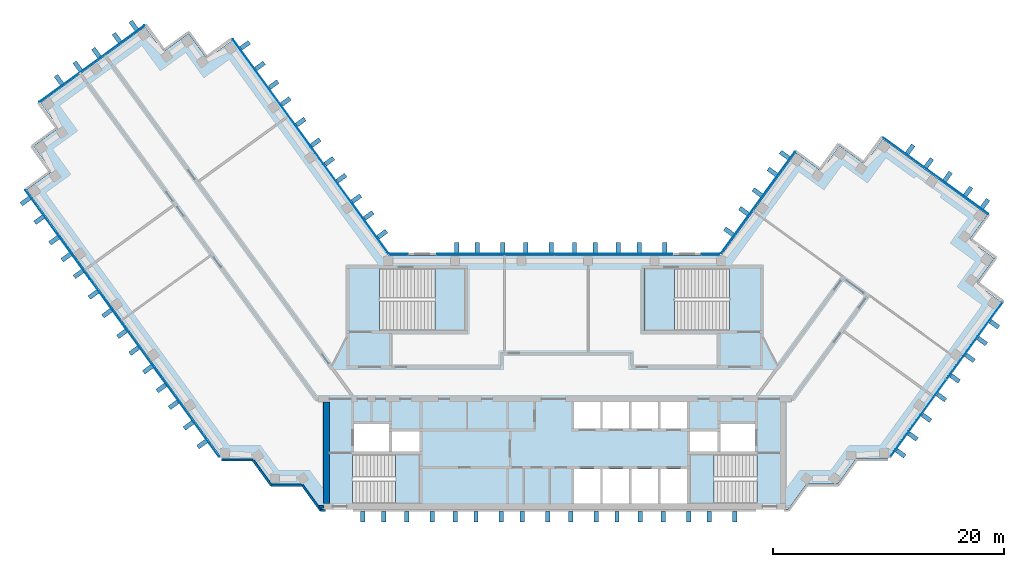
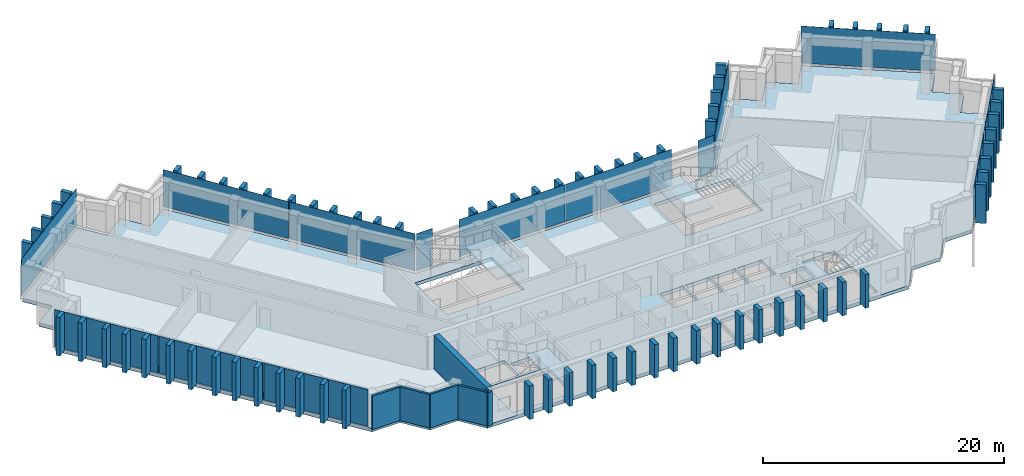
"""IFC4 building model written with IfcOpenShell, lengths in metres."""

import ifcopenshell
import ifcopenshell.guid

model = None  # the IFC model being written
_history = None  # IfcOwnerHistory: only IFC2X3 demands one
_inside = {}  # id of a spatial element -> (the spatial element, [elements in it])
_under = {}  # id of a project, library or spatial element -> (it, [spatial elements below it])
_declared = {}  # id of a project -> (the project, [libraries it declares])
_typed = {}  # id of a type object -> (the type object, [elements of that type])
_made_of = {}  # id of a material, layer set ... -> (it, [elements and type objects made of it])


def new_model(schema):
    """Start an empty IFC model of exactly this schema.

    Asked for "IFC4X3", IfcOpenShell would pick the latest addendum, in which some entities
    have other attributes; the version numbers below select the first issue.
    IFC2X3 requires an IfcOwnerHistory on every rooted entity: one is made here for all.
    """
    global model, _history
    if schema == "IFC4X3":
        model = ifcopenshell.file(schema_version=(4, 3, 0, 0))
    else:
        model = ifcopenshell.file(schema=schema)
    _inside.clear()
    _under.clear()
    _declared.clear()
    _typed.clear()
    _made_of.clear()
    _history = None
    if model.schema == "IFC2X3":
        org = make("IfcOrganization", Name="unknown")
        user = make(
            "IfcPersonAndOrganization",
            ThePerson=make("IfcPerson", FamilyName="unknown"),
            TheOrganization=org,
        )
        app = make(
            "IfcApplication",
            ApplicationDeveloper=org,
            Version="unknown",
            ApplicationFullName="unknown",
            ApplicationIdentifier="unknown",
        )
        _history = make(
            "IfcOwnerHistory",
            OwningUser=user,
            OwningApplication=app,
            ChangeAction="ADDED",
            CreationDate=0,
        )
    return model


def make(cls, **values):
    """One entity of the class cls with the attributes given. An attribute that is None is left unset."""
    return model.create_entity(
        cls, **{name: value for name, value in values.items() if value is not None}
    )


def rooted(cls, **values):
    """An entity with a GlobalId (a new one), such as an element, a storey or a relation."""
    return make(cls, GlobalId=ifcopenshell.guid.new(), OwnerHistory=_history, **values)


def si_unit(unit_type, name, prefix=None):
    """IfcSIUnit, for example si_unit("LENGTHUNIT", "METRE", prefix="MILLI")."""
    return make("IfcSIUnit", UnitType=unit_type, Prefix=prefix, Name=name)


def assignment(units):
    """IfcUnitAssignment: the units of a project."""
    return None if units is None else make("IfcUnitAssignment", Units=units)


def point(xyz):
    """IfcCartesianPoint."""
    return None if xyz is None else make("IfcCartesianPoint", Coordinates=xyz)


def direction(xyz):
    """IfcDirection."""
    return None if xyz is None else make("IfcDirection", DirectionRatios=xyz)


def frame(location, z_axis=None, x_axis=None):
    """IfcAxis2Placement3D, a coordinate frame: its origin and axes. An axis left out is left unset."""
    return make(
        "IfcAxis2Placement3D",
        Location=point(location),
        Axis=direction(z_axis),
        RefDirection=direction(x_axis),
    )


def frame_2d(location, x_axis=None):
    """IfcAxis2Placement2D, a coordinate frame in the plane: its origin and x axis."""
    return make(
        "IfcAxis2Placement2D", Location=point(location), RefDirection=direction(x_axis)
    )


def origin():
    """The frame at (0, 0, 0) with its axes left unset."""
    return frame((0.0, 0.0, 0.0))


def origin_2d():
    """The frame at (0, 0) in the plane with its x axis left unset."""
    return frame_2d((0.0, 0.0))


def place(relative_to, where):
    """IfcLocalPlacement: puts the frame where relative to a parent placement (None: the world)."""
    return make(
        "IfcLocalPlacement", PlacementRelTo=relative_to, RelativePlacement=where
    )


def context(
    kind, dimensions, precision=None, world=None, true_north=None, identifier=None
):
    """IfcGeometricRepresentationContext, for example the 3D "Model" context."""
    return make(
        "IfcGeometricRepresentationContext",
        ContextIdentifier=identifier,
        ContextType=kind,
        CoordinateSpaceDimension=dimensions,
        Precision=precision,
        WorldCoordinateSystem=world,
        TrueNorth=true_north,
    )


def subcontext(parent, identifier, kind, view, scale=None):
    """IfcGeometricRepresentationSubContext, for example "Body" below "Model"."""
    return make(
        "IfcGeometricRepresentationSubContext",
        ContextIdentifier=identifier,
        ContextType=kind,
        ParentContext=parent,
        TargetScale=scale,
        TargetView=view,
    )


def project(units=None, contexts=None):
    """IfcProject with its units and contexts."""
    return rooted(
        "IfcProject",
        Name="project",
        RepresentationContexts=contexts,
        UnitsInContext=assignment(units),
    )


def spatial(cls, under=None, at=None, **own):
    """A site, building, storey or space (cls), placed at a placement, below another one or the project."""
    s = rooted(cls, ObjectPlacement=at, **own)
    if under is not None:
        _under.setdefault(under.id(), (under, []))[1].append(s)
    return s


def polyline(points):
    """IfcPolyline through the points."""
    return make("IfcPolyline", Points=[point(p) for p in points])


def profile(cls, at=None, kind="AREA", **sizes):
    """A parametric profile (cls). Its sizes go by their IFC names, for example OverallWidth=200.0."""
    return make(cls, ProfileType=kind, Position=at, **sizes)


def rectangle(**sizes):
    """IfcRectangleProfileDef."""
    return profile("IfcRectangleProfileDef", **sizes)


def outline(outer, holes=None, kind="AREA"):
    """IfcArbitraryClosedProfileDef: a profile drawn as a closed curve; with holes, ...WithVoids."""
    if holes is None:
        return make("IfcArbitraryClosedProfileDef", ProfileType=kind, OuterCurve=outer)
    return make(
        "IfcArbitraryProfileDefWithVoids",
        ProfileType=kind,
        OuterCurve=outer,
        InnerCurves=holes,
    )


def extrude(swept, where, along, depth):
    """IfcExtrudedAreaSolid: the profile swept, set in the frame where, extruded along a direction by depth."""
    return make(
        "IfcExtrudedAreaSolid",
        SweptArea=swept,
        Position=where,
        ExtrudedDirection=direction(along),
        Depth=depth,
    )


def shape(context_of_items, identifier, shape_type, items):
    """IfcShapeRepresentation: the items that make up one representation, for example the "Body"."""
    return make(
        "IfcShapeRepresentation",
        ContextOfItems=context_of_items,
        RepresentationIdentifier=identifier,
        RepresentationType=shape_type,
        Items=items,
    )


def material(Name=None, Category=None):
    """IfcMaterial."""
    return make("IfcMaterial", Name=Name, Category=Category)


def layer(
    of_material, thickness, ventilated=None, Name=None, Category=None, Priority=None
):
    """IfcMaterialLayer: one layer of a wall or slab, of a material (None: an air gap)."""
    return make(
        "IfcMaterialLayer",
        Material=of_material,
        LayerThickness=thickness,
        IsVentilated=ventilated,
        Name=Name,
        Category=Category,
        Priority=Priority,
    )


def layer_set(layers, Name=None):
    """IfcMaterialLayerSet."""
    return make("IfcMaterialLayerSet", MaterialLayers=layers, LayerSetName=Name)


def made_of(thing, what):
    """Note that an element or type object is made of a material, layer set ...; save() writes the relation."""
    if what is not None:
        _made_of.setdefault(what.id(), (what, []))[1].append(thing)
    return thing


def type_object(cls, material=None, **own):
    """A type object (cls), such as IfcWallType, which elements share."""
    return made_of(rooted(cls, **own), material)


def element(
    cls,
    number,
    at=None,
    inside=None,
    cuts=None,
    type_object=None,
    material=None,
    context=None,
    identifier="Body",
    shape_type=None,
    held_by="IfcProductDefinitionShape",
    body=None,
    shapes=None,
    **own,
):
    """One element of the class cls, such as IfcWall. Its Tag is "e" and its number.

    at: its placement. inside: the storey or other place that contains it. cuts: it is an
    opening in that element (IfcRelVoidsElement). A single representation is given by context,
    identifier, shape_type and body (its items); several are given by shapes. held_by: the class
    of the entity that holds the representations. save() writes the other relations.
    """
    e = rooted(cls, Tag="e%d" % number, ObjectPlacement=at, **own)
    if body is not None:
        shapes = [shape(context, identifier, shape_type, body)]
    if shapes is not None:
        e.Representation = make(held_by, Representations=shapes)
    if inside is not None:
        _inside.setdefault(inside.id(), (inside, []))[1].append(e)
    if cuts is not None:
        rooted(
            "IfcRelVoidsElement", RelatingBuildingElement=cuts, RelatedOpeningElement=e
        )
    if type_object is not None:
        _typed.setdefault(type_object.id(), (type_object, []))[1].append(e)
    return made_of(e, material)


def aggregate(whole, parts):
    """IfcRelAggregates: a whole, such as a stair, and the parts it consists of."""
    return rooted("IfcRelAggregates", RelatingObject=whole, RelatedObjects=parts)


def save(model, path):
    """Write the relations noted so far, then the file.

    IfcRelAggregates (storeys below a building ...), IfcRelContainedInSpatialStructure (elements
    in a storey), IfcRelDefinesByType, IfcRelAssociatesMaterial and IfcRelDeclares: one each for
    every whole, place, type object, material and project.
    """
    for whole, parts in _under.values():
        aggregate(whole, parts)
    for where, things in _inside.values():
        rooted(
            "IfcRelContainedInSpatialStructure",
            RelatedElements=things,
            RelatingStructure=where,
        )
    for kind, things in _typed.values():
        rooted("IfcRelDefinesByType", RelatedObjects=things, RelatingType=kind)
    for what, things in _made_of.values():
        rooted("IfcRelAssociatesMaterial", RelatedObjects=things, RelatingMaterial=what)
    for by, libraries in _declared.values():
        rooted("IfcRelDeclares", RelatingContext=by, RelatedDefinitions=libraries)
    model.write(path)


model = new_model("IFC4")

# Units and contexts
model_context = context("Model", 3, precision=1e-05, world=origin(), true_north=direction((0.0, 1.0)))
body_context = subcontext(model_context, "Body", "Model", "MODEL_VIEW")
ifc_project = project(units=[si_unit("LENGTHUNIT", "METRE"), si_unit("AREAUNIT", "SQUARE_METRE"), si_unit("VOLUMEUNIT", "CUBIC_METRE"), si_unit("PLANEANGLEUNIT", "RADIAN"), si_unit("MASSUNIT", "GRAM", prefix="KILO")], contexts=[model_context])

# Site, building, storey
site_placement = place(None, origin())
site = spatial("IfcSite", under=ifc_project, at=site_placement, CompositionType="ELEMENT")
building_placement = place(site_placement, origin())
building = spatial("IfcBuilding", under=site, at=building_placement, Name="Quipu Civic Tower", CompositionType="ELEMENT")
storey_1_placement = place(building_placement, frame((0.0, 0.0, 238.0)))
storey_1 = spatial("IfcBuildingStorey", under=building, at=storey_1_placement, Name="L56", CompositionType="ELEMENT", Elevation=238.0)

# Slab
ifc_material_1 = material(Name="Concrete C40/50", Category="concrete")
ifc_layer_1 = layer(ifc_material_1, 0.35009765625)
ifc_layer_set_1 = layer_set([ifc_layer_1], Name="Concrete C40/50")
slab_type_1 = type_object("IfcSlabType", Name="Floor slab 350 C40/50", PredefinedType="FLOOR", material=ifc_layer_set_1)
slab_1_placement = place(storey_1_placement, frame((0.0, 0.0, -0.35009765625)))
element("IfcSlab", 1, at=slab_1_placement, inside=storey_1, type_object=slab_type_1, Name="Floor slab L56", PredefinedType="FLOOR", context=body_context, shape_type="SweptSolid", body=[
    extrude(outline(polyline([(20.860107421875, 19.89501953125), (23.0400390625, 18.31005859375), (24.6298828125, 20.4951171875), (26.81494140625, 18.905029296875), (28.39990234375, 21.090087890625), (37.4599609375, 14.5048828125), (35.875, 12.320068359375), (38.06005859375, 10.735107421875), (36.469970703125, 8.550048828125), (38.655029296875, 6.965087890625), (28.780029296875, -6.6298828125), (26.080078125, -6.6298828125), (24.489990234375, -8.81494140625), (21.7900390625, -8.81494140625), (20.205078125, -11.0), (-20.205078125, -11.0), (-21.7900390625, -8.81494140625), (-24.489990234375, -8.81494140625), (-26.080078125, -6.6298828125), (-28.780029296875, -6.6298828125), (-45.7099609375, 16.669921875), (-43.52490234375, 18.260009765625), (-45.114990234375, 20.445068359375), (-42.929931640625, 22.030029296875), (-44.514892578125, 24.215087890625), (-35.455078125, 30.800048828125), (-33.864990234375, 28.614990234375), (-31.68505859375, 30.199951171875), (-30.094970703125, 28.014892578125), (-27.909912109375, 29.60498046875), (-14.39501953125, 11.0), (14.39501953125, 11.0), (20.860107421875, 19.89501953125)]), holes=[polyline([(1.64990234375, -7.5), (1.64990234375, -10.5), (3.949951171875, -10.5), (3.949951171875, -7.5), (1.64990234375, -7.5)]), polyline([(4.14990234375, -7.5), (4.14990234375, -10.5), (6.449951171875, -10.5), (6.449951171875, -7.5), (4.14990234375, -7.5)]), polyline([(-11.705078125, -6.2548828125), (-17.4951171875, -6.2548828125), (-17.4951171875, -10.4951171875), (-11.705078125, -10.4951171875), (-11.705078125, -6.2548828125)]), polyline([(-14.10009765625, -4.25), (-14.10009765625, -6.0), (-11.699951171875, -6.0), (-11.699951171875, -4.25), (-14.10009765625, -4.25)]), polyline([(-17.35009765625, -3.60009765625), (-17.35009765625, -6.0), (-14.35009765625, -6.0), (-14.35009765625, -3.60009765625), (-17.35009765625, -3.60009765625)]), polyline([(1.64990234375, -1.699951171875), (1.64990234375, -4.0), (3.949951171875, -4.0), (3.949951171875, -1.699951171875), (1.64990234375, -1.699951171875)]), polyline([(4.14990234375, -1.699951171875), (4.14990234375, -4.0), (6.449951171875, -4.0), (6.449951171875, -1.699951171875), (4.14990234375, -1.699951171875)]), polyline([(-7.7548828125, 9.844970703125), (-15.14501953125, 9.844970703125), (-15.14501953125, 4.5048828125), (-7.7548828125, 4.5048828125), (-7.7548828125, 9.844970703125)]), polyline([(6.64990234375, -7.5), (6.64990234375, -10.5), (8.949951171875, -10.5), (8.949951171875, -7.5), (6.64990234375, -7.5)]), polyline([(9.14990234375, -7.5), (9.14990234375, -10.5), (11.449951171875, -10.5), (11.449951171875, -7.5), (9.14990234375, -7.5)]), polyline([(11.705078125, -10.4951171875), (17.4951171875, -10.4951171875), (17.4951171875, -6.2548828125), (11.705078125, -6.2548828125), (11.705078125, -10.4951171875)]), polyline([(11.699951171875, -4.25), (11.699951171875, -6.0), (14.10009765625, -6.0), (14.10009765625, -4.25), (11.699951171875, -4.25)]), polyline([(14.35009765625, -3.60009765625), (14.35009765625, -6.0), (17.35009765625, -6.0), (17.35009765625, -3.60009765625), (14.35009765625, -3.60009765625)]), polyline([(6.64990234375, -1.699951171875), (6.64990234375, -4.0), (8.949951171875, -4.0), (8.949951171875, -1.699951171875), (6.64990234375, -1.699951171875)]), polyline([(9.14990234375, -1.699951171875), (9.14990234375, -4.0), (11.449951171875, -4.0), (11.449951171875, -1.699951171875), (9.14990234375, -1.699951171875)]), polyline([(7.7548828125, 4.5048828125), (15.14501953125, 4.5048828125), (15.14501953125, 9.844970703125), (7.7548828125, 9.844970703125), (7.7548828125, 4.5048828125)])]), origin(), (0.0, 0.0, 1.0), 0.35009765625),
])

# Storey
storey_2_placement = place(building_placement, frame((0.0, 0.0, 234.0)))
storey_2 = spatial("IfcBuildingStorey", under=building, at=storey_2_placement, Name="L55", CompositionType="ELEMENT", Elevation=234.0)

# Curtain wall, plates
ifc_material_2 = material(Name="Insulated glass unit", Category="glass")
curtain_wall_type = type_object("IfcCurtainWallType", Name="Office curtain wall CW1", PredefinedType="NOTDEFINED", material=ifc_material_2)
curtain_wall_1_placement = place(storey_2_placement, origin())
curtain_wall_1 = element("IfcCurtainWall", 2, at=curtain_wall_1_placement, inside=storey_2, type_object=curtain_wall_type, Name="Office curtain wall CW1 L54 run 1", PredefinedType="NOTDEFINED")
ifc_material_3 = material(Name="Insulated glass unit", Category="glass")
ifc_layer_2 = layer(ifc_material_3, 0.028076171875)
ifc_layer_set_2 = layer_set([ifc_layer_2], Name="Insulated glass unit")
plate_type_1 = type_object("IfcPlateType", Name="Glass panel CW1", PredefinedType="CURTAIN_PANEL", material=ifc_layer_set_2)
plate_1_placement = place(storey_1_placement, frame((-17.7421875, 15.777099609375, 0.16015625), z_axis=(0.0, 0.0, 1.0), x_axis=(-0.587788727052, 0.809014469803, 0.0)))
plate_1 = element("IfcPlate", 3, at=plate_1_placement, inside=storey_1, type_object=plate_type_1, Name="CW1 panel 1.3", PredefinedType="CURTAIN_PANEL", context=body_context, shape_type="SweptSolid", body=[
    extrude(rectangle(XDim=11.402099609375, YDim=0.028076171875, at=origin_2d()), origin(), (0.0, 0.0, 1.0), 3.760009765625),
])
plate_2_placement = place(storey_1_placement, frame((-24.491455078125, 25.066162109375, 0.16015625), z_axis=(0.0, 0.0, 1.0), x_axis=(-0.587788727052, 0.809014469803, 0.0)))
plate_2 = element("IfcPlate", 4, at=plate_2_placement, inside=storey_1, type_object=plate_type_1, Name="CW1 panel 2.3", PredefinedType="CURTAIN_PANEL", context=body_context, shape_type="SweptSolid", body=[
    extrude(rectangle(XDim=11.402099609375, YDim=0.028076171875, at=origin_2d()), origin(), (0.0, 0.0, 1.0), 3.760009765625),
])
aggregate(curtain_wall_1, [plate_1, plate_2])

# Curtain wall, plate
curtain_wall_2_placement = place(storey_2_placement, origin())
curtain_wall_2 = element("IfcCurtainWall", 5, at=curtain_wall_2_placement, inside=storey_2, type_object=curtain_wall_type, Name="Office curtain wall CW1 L54 run 6", PredefinedType="NOTDEFINED")
plate_3_placement = place(storey_1_placement, frame((-40.04345703125, 27.58740234375, 0.16015625), z_axis=(0.0, 0.0, 1.0), x_axis=(-0.809015176832, -0.587787753918, 0.0)))
plate_3 = element("IfcPlate", 6, at=plate_3_placement, inside=storey_1, type_object=plate_type_1, Name="CW1 panel 1.3", PredefinedType="CURTAIN_PANEL", context=body_context, shape_type="SweptSolid", body=[
    extrude(rectangle(XDim=11.239990234375, YDim=0.028076171875, at=origin_2d()), origin(), (0.0, 0.0, 1.0), 3.760009765625),
])
aggregate(curtain_wall_2, [plate_3])

# Curtain wall, plates
curtain_wall_3_placement = place(storey_2_placement, origin())
curtain_wall_3 = element("IfcCurtainWall", 7, at=curtain_wall_3_placement, inside=storey_2, type_object=curtain_wall_type, Name="Office curtain wall CW1 L54 run 11", PredefinedType="NOTDEFINED")
plate_4_placement = place(storey_1_placement, frame((-43.030517578125, 12.814208984375, 0.16015625), z_axis=(0.0, 0.0, 1.0), x_axis=(0.5877856923, -0.80901667469, 0.0)))
plate_4 = element("IfcPlate", 8, at=plate_4_placement, inside=storey_1, type_object=plate_type_1, Name="CW1 panel 1.3", PredefinedType="CURTAIN_PANEL", context=body_context, shape_type="SweptSolid", body=[
    extrude(rectangle(XDim=9.43212890625, YDim=0.028076171875, at=origin_2d()), origin(), (0.0, 0.0, 1.0), 3.760009765625),
])
plate_5_placement = place(storey_1_placement, frame((-37.427734375, 5.102783203125, 0.16015625), z_axis=(0.0, 0.0, 1.0), x_axis=(0.5877856923, -0.80901667469, 0.0)))
plate_5 = element("IfcPlate", 9, at=plate_5_placement, inside=storey_1, type_object=plate_type_1, Name="CW1 panel 2.3", PredefinedType="CURTAIN_PANEL", context=body_context, shape_type="SweptSolid", body=[
    extrude(rectangle(XDim=9.471923828125, YDim=0.028076171875, at=origin_2d()), origin(), (0.0, 0.0, 1.0), 3.760009765625),
])
plate_6_placement = place(storey_1_placement, frame((-31.824951171875, -2.60888671875, 0.16015625), z_axis=(0.0, 0.0, 1.0), x_axis=(0.5877856923, -0.80901667469, 0.0)))
plate_6 = element("IfcPlate", 10, at=plate_6_placement, inside=storey_1, type_object=plate_type_1, Name="CW1 panel 3.3", PredefinedType="CURTAIN_PANEL", context=body_context, shape_type="SweptSolid", body=[
    extrude(rectangle(XDim=9.43212890625, YDim=0.028076171875, at=origin_2d()), origin(), (0.0, 0.0, 1.0), 3.760009765625),
])
aggregate(curtain_wall_3, [plate_4, plate_5, plate_6])

# Curtain wall, plate
curtain_wall_4_placement = place(storey_2_placement, origin())
curtain_wall_4 = element("IfcCurtainWall", 11, at=curtain_wall_4_placement, inside=storey_2, type_object=curtain_wall_type, Name="Office curtain wall CW1 L54 run 21", PredefinedType="NOTDEFINED")
plate_7_placement = place(storey_1_placement, frame((32.989990234375, 17.87939453125, 0.16015625), z_axis=(0.0, 0.0, 1.0), x_axis=(-0.809015176832, 0.587787753918, 0.0)))
plate_7 = element("IfcPlate", 12, at=plate_7_placement, inside=storey_1, type_object=plate_type_1, Name="CW1 panel 1.3", PredefinedType="CURTAIN_PANEL", context=body_context, shape_type="SweptSolid", body=[
    extrude(rectangle(XDim=11.239990234375, YDim=0.028076171875, at=origin_2d()), origin(), (0.0, 0.0, 1.0), 3.760009765625),
])
aggregate(curtain_wall_4, [plate_7])

curtain_wall_5_placement = place(storey_2_placement, origin())
curtain_wall_5 = element("IfcCurtainWall", 13, at=curtain_wall_5_placement, inside=storey_2, type_object=curtain_wall_type, Name="Office curtain wall CW1 L54 run 26", PredefinedType="NOTDEFINED")
plate_8_placement = place(storey_1_placement, frame((17.590087890625, 15.5673828125, 0.16015625), z_axis=(0.0, 0.0, 1.0), x_axis=(-0.587787771652, -0.809015163947, 0.0)))
plate_8 = element("IfcPlate", 14, at=plate_8_placement, inside=storey_1, type_object=plate_type_1, Name="CW1 panel 1.3", PredefinedType="CURTAIN_PANEL", context=body_context, shape_type="SweptSolid", body=[
    extrude(rectangle(XDim=10.88427734375, YDim=0.028076171875, at=origin_2d()), origin(), (0.0, 0.0, 1.0), 3.760009765625),
])
aggregate(curtain_wall_5, [plate_8])

curtain_wall_6_placement = place(storey_2_placement, origin())
curtain_wall_6 = element("IfcCurtainWall", 15, at=curtain_wall_6_placement, inside=storey_2, type_object=curtain_wall_type, Name="Office curtain wall CW1 L54 run 27", PredefinedType="NOTDEFINED")
plate_9_placement = place(storey_1_placement, frame((13.49951171875, 11.10009765625, 0.16015625), z_axis=(0.0, 0.0, 1.0), x_axis=(-1.0, 0.0, 0.0)))
plate_9 = element("IfcPlate", 16, at=plate_9_placement, inside=storey_1, type_object=plate_type_1, Name="CW1 panel 1.3", PredefinedType="CURTAIN_PANEL", context=body_context, shape_type="SweptSolid", body=[
    extrude(rectangle(XDim=1.529296875, YDim=0.028076171875, at=origin_2d()), origin(), (0.0, 0.0, 1.0), 3.760009765625),
])
aggregate(curtain_wall_6, [plate_9])

# Curtain wall, plates
curtain_wall_7_placement = place(storey_2_placement, origin())
curtain_wall_7 = element("IfcCurtainWall", 17, at=curtain_wall_7_placement, inside=storey_2, type_object=curtain_wall_type, Name="Office curtain wall CW1 L54 run 29", PredefinedType="NOTDEFINED")
plate_10_placement = place(storey_1_placement, frame((5.11181640625, 11.10009765625, 0.16015625), z_axis=(0.0, 0.0, 1.0), x_axis=(-1.0, 0.0, 0.0)))
plate_10 = element("IfcPlate", 18, at=plate_10_placement, inside=storey_1, type_object=plate_type_1, Name="CW1 panel 1.3", PredefinedType="CURTAIN_PANEL", context=body_context, shape_type="SweptSolid", body=[
    extrude(rectangle(XDim=10.1435546875, YDim=0.028076171875, at=origin_2d()), origin(), (0.0, 0.0, 1.0), 3.760009765625),
])
plate_11_placement = place(storey_1_placement, frame((-5.11181640625, 11.10009765625, 0.16015625), z_axis=(0.0, 0.0, 1.0), x_axis=(-1.0, 0.0, 0.0)))
plate_11 = element("IfcPlate", 19, at=plate_11_placement, inside=storey_1, type_object=plate_type_1, Name="CW1 panel 2.3", PredefinedType="CURTAIN_PANEL", context=body_context, shape_type="SweptSolid", body=[
    extrude(rectangle(XDim=10.1435546875, YDim=0.028076171875, at=origin_2d()), origin(), (0.0, 0.0, 1.0), 3.760009765625),
])
aggregate(curtain_wall_7, [plate_10, plate_11])

# Curtain wall, plate
curtain_wall_8_placement = place(storey_2_placement, origin())
curtain_wall_8 = element("IfcCurtainWall", 20, at=curtain_wall_8_placement, inside=storey_2, type_object=curtain_wall_type, Name="Office curtain wall CW1 L54 run 31", PredefinedType="NOTDEFINED")
plate_12_placement = place(storey_1_placement, frame((-13.49951171875, 11.10009765625, 0.16015625), z_axis=(0.0, 0.0, 1.0), x_axis=(-1.0, 0.0, 0.0)))
plate_12 = element("IfcPlate", 21, at=plate_12_placement, inside=storey_1, type_object=plate_type_1, Name="CW1 panel 1.3", PredefinedType="CURTAIN_PANEL", context=body_context, shape_type="SweptSolid", body=[
    extrude(rectangle(XDim=1.529296875, YDim=0.028076171875, at=origin_2d()), origin(), (0.0, 0.0, 1.0), 3.760009765625),
])
aggregate(curtain_wall_8, [plate_12])

# Curtain wall, plates
curtain_wall_9_placement = place(storey_1_placement, origin())
curtain_wall_9 = element("IfcCurtainWall", 22, at=curtain_wall_9_placement, inside=storey_1, type_object=curtain_wall_type, Name="Office curtain wall CW1 L55 run 4", PredefinedType="NOTDEFINED")
plate_13_placement = place(storey_1_placement, frame((31.465087890625, -3.10400390625, 0.16015625), z_axis=(0.0, 0.0, 1.0), x_axis=(0.58778680192, 0.809015868502, 0.0)))
plate_13 = element("IfcPlate", 23, at=plate_13_placement, type_object=plate_type_1, Name="CW1 panel 1.2", PredefinedType="CURTAIN_PANEL", context=body_context, shape_type="SweptSolid", body=[
    extrude(rectangle(XDim=8.2080078125, YDim=0.028076171875, at=origin_2d()), origin(), (0.0, 0.0, 1.0), 3.760009765625),
])
plate_14_placement = place(storey_1_placement, frame((36.3369140625, 3.60107421875, 0.16015625), z_axis=(0.0, 0.0, 1.0), x_axis=(0.58778680192, 0.809015868502, 0.0)))
plate_14 = element("IfcPlate", 24, at=plate_14_placement, type_object=plate_type_1, Name="CW1 panel 2.2", PredefinedType="CURTAIN_PANEL", context=body_context, shape_type="SweptSolid", body=[
    extrude(rectangle(XDim=8.2080078125, YDim=0.028076171875, at=origin_2d()), origin(), (0.0, 0.0, 1.0), 3.760009765625),
])
aggregate(curtain_wall_9, [plate_13, plate_14])

# Plates
ifc_material_4 = material(Name="Precast concrete C40/50", Category="concrete")
plate_type_2 = type_object("IfcPlateType", Name="Precast fin F2", PredefinedType="SHEET", material=ifc_material_4)
for number, where, z_axis, x_axis, name in (
    (25, (-14.92138671875, 12.830078125, 0.080078125), (0.0, 0.0, 1.0), (-0.587787133119, 0.809015627871, 0.0), "Precast fin F2 L56.P01.1"),
    (26, (-16.09716796875, 14.4482421875, 0.080078125), (0.0, 0.0, 1.0), (-0.587787133119, 0.809015627871, 0.0), "Precast fin F2 L56.P01.2"),
    (27, (-17.155029296875, 15.904541015625, 0.080078125), (0.0, 0.0, 1.0), (-0.587787133119, 0.809015627871, 0.0), "Precast fin F2 L56.P01.3"),
    (28, (-18.4482421875, 17.684326171875, 0.080078125), (0.0, 0.0, 1.0), (-0.587787133119, 0.809015627871, 0.0), "Precast fin F2 L56.P01.4"),
    (29, (-19.506103515625, 19.140625, 0.080078125), (0.0, 0.0, 1.0), (-0.587787133119, 0.809015627871, 0.0), "Precast fin F2 L56.P01.5"),
    (30, (-20.681884765625, 20.758544921875, 0.080078125), (0.0, 0.0, 1.0), (-0.587787133119, 0.809015627871, 0.0), "Precast fin F2 L56.P01.6"),
    (31, (-21.974853515625, 22.538330078125, 0.080078125), (0.0, 0.0, 1.0), (-0.587787133119, 0.809015627871, 0.0), "Precast fin F2 L56.P01.7"),
    (32, (-23.26806640625, 24.318115234375, 0.080078125), (0.0, 0.0, 1.0), (-0.587787133119, 0.809015627871, 0.0), "Precast fin F2 L56.P01.8"),
    (33, (-24.326171875, 25.7744140625, 0.080078125), (0.0, 0.0, 1.0), (-0.587787133119, 0.809015627871, 0.0), "Precast fin F2 L56.P01.9"),
    (34, (-25.501708984375, 27.392578125, 0.080078125), (0.0, 0.0, 1.0), (-0.587787133119, 0.809015627871, 0.0), "Precast fin F2 L56.P01.10"),
    (35, (-26.794677734375, 29.17236328125, 0.080078125), (0.0, 0.0, 1.0), (-0.587787133119, 0.809015627871, 0.0), "Precast fin F2 L56.P01.11"),
    (36, (-36.434814453125, 30.88916015625, 0.080078125), (0.0, 0.0, 1.0), (-0.809017072762, -0.587785144401, 0.0), "Precast fin F2 L56.P06.1"),
    (37, (-37.89111328125, 29.8310546875, 0.080078125), (0.0, 0.0, 1.0), (-0.809017072762, -0.587785144401, 0.0), "Precast fin F2 L56.P06.2"),
    (38, (-39.6708984375, 28.537841796875, 0.080078125), (0.0, 0.0, 1.0), (-0.809017072762, -0.587785144401, 0.0), "Precast fin F2 L56.P06.3"),
    (39, (-41.2890625, 27.3623046875, 0.080078125), (0.0, 0.0, 1.0), (-0.809017072762, -0.587785144401, 0.0), "Precast fin F2 L56.P06.4"),
    (40, (-42.906982421875, 26.186767578125, 0.080078125), (0.0, 0.0, 1.0), (-0.809017072762, -0.587785144401, 0.0), "Precast fin F2 L56.P06.5"),
    (41, (-45.80078125, 15.69140625, 0.080078125), (0.0, 0.0, 1.0), (0.587785620359, -0.809016726959, 0.0), "Precast fin F2 L56.P11.1"),
    (42, (-44.625244140625, 14.073486328125, 0.080078125), (0.0, 0.0, 1.0), (0.587785620359, -0.809016726959, 0.0), "Precast fin F2 L56.P11.2"),
    (43, (-43.33203125, 12.293701171875, 0.080078125), (0.0, 0.0, 1.0), (0.587785620359, -0.809016726959, 0.0), "Precast fin F2 L56.P11.3"),
    (44, (-42.27392578125, 10.83740234375, 0.080078125), (0.0, 0.0, 1.0), (0.587785620359, -0.809016726959, 0.0), "Precast fin F2 L56.P11.4"),
    (45, (-41.216064453125, 9.381103515625, 0.080078125), (0.0, 0.0, 1.0), (0.587785620359, -0.809016726959, 0.0), "Precast fin F2 L56.P11.5"),
    (46, (-39.9228515625, 7.601318359375, 0.080078125), (0.0, 0.0, 1.0), (0.587785620359, -0.809016726959, 0.0), "Precast fin F2 L56.P11.6"),
    (47, (-38.747314453125, 5.983154296875, 0.080078125), (0.0, 0.0, 1.0), (0.587785620359, -0.809016726959, 0.0), "Precast fin F2 L56.P11.7"),
    (48, (-37.4541015625, 4.203369140625, 0.080078125), (0.0, 0.0, 1.0), (0.587785620359, -0.809016726959, 0.0), "Precast fin F2 L56.P11.8"),
    (49, (-36.396240234375, 2.747314453125, 0.080078125), (0.0, 0.0, 1.0), (0.587785620359, -0.809016726959, 0.0), "Precast fin F2 L56.P11.9"),
    (50, (-35.220458984375, 1.129150390625, 0.080078125), (0.0, 0.0, 1.0), (0.587785620359, -0.809016726959, 0.0), "Precast fin F2 L56.P11.10"),
    (51, (-34.044921875, -0.48876953125, 0.080078125), (0.0, 0.0, 1.0), (0.587785620359, -0.809016726959, 0.0), "Precast fin F2 L56.P11.11"),
    (52, (-32.987060546875, -1.945068359375, 0.080078125), (0.0, 0.0, 1.0), (0.587785620359, -0.809016726959, 0.0), "Precast fin F2 L56.P11.12"),
    (53, (-31.69384765625, -3.724853515625, 0.080078125), (0.0, 0.0, 1.0), (0.587785620359, -0.809016726959, 0.0), "Precast fin F2 L56.P11.13"),
    (54, (-30.518310546875, -5.343017578125, 0.080078125), (0.0, 0.0, 1.0), (0.587785620359, -0.809016726959, 0.0), "Precast fin F2 L56.P11.14"),
):
    element("IfcPlate", number, at=place(storey_1_placement, frame(where, z_axis=z_axis, x_axis=x_axis)), inside=storey_1, type_object=plate_type_2, Name=name, PredefinedType="SHEET", context=body_context, shape_type="SweptSolid", body=[
        extrude(rectangle(XDim=0.3798828125, YDim=0.89990234375, at=origin_2d()), origin(), (0.0, 0.0, 1.0), 3.919921875),
    ])
for number, where, z_axis, x_axis, name in (
    (55, (-16.610107421875, -11.637939453125, 0.0), (0.0, 0.0, 1.0), (1.0, 0.0, 0.0), "Precast fin F2 L56.P18.1"),
    (56, (-14.81005859375, -11.637939453125, 0.0), (0.0, 0.0, 1.0), (1.0, 0.0, 0.0), "Precast fin F2 L56.P18.2"),
    (57, (-12.81005859375, -11.637939453125, 0.0), (0.0, 0.0, 1.0), (1.0, 0.0, 0.0), "Precast fin F2 L56.P18.3"),
    (58, (-10.610107421875, -11.637939453125, 0.0), (0.0, 0.0, 1.0), (1.0, 0.0, 0.0), "Precast fin F2 L56.P18.4"),
    (59, (-8.610107421875, -11.637939453125, 0.0), (0.0, 0.0, 1.0), (1.0, 0.0, 0.0), "Precast fin F2 L56.P18.5"),
    (60, (-6.81005859375, -11.637939453125, 0.0), (0.0, 0.0, 1.0), (1.0, 0.0, 0.0), "Precast fin F2 L56.P18.6"),
    (61, (-4.610107421875, -11.637939453125, 0.0), (0.0, 0.0, 1.0), (1.0, 0.0, 0.0), "Precast fin F2 L56.P18.7"),
    (62, (-2.81005859375, -11.637939453125, 0.0), (0.0, 0.0, 1.0), (1.0, 0.0, 0.0), "Precast fin F2 L56.P18.8"),
    (63, (-0.610107421875, -11.637939453125, 0.0), (0.0, 0.0, 1.0), (1.0, 0.0, 0.0), "Precast fin F2 L56.P18.9"),
    (64, (1.389892578125, -11.637939453125, 0.0), (0.0, 0.0, 1.0), (1.0, 0.0, 0.0), "Precast fin F2 L56.P18.10"),
    (65, (3.590087890625, -11.637939453125, 0.0), (0.0, 0.0, 1.0), (1.0, 0.0, 0.0), "Precast fin F2 L56.P18.11"),
    (66, (5.389892578125, -11.637939453125, 0.0), (0.0, 0.0, 1.0), (1.0, 0.0, 0.0), "Precast fin F2 L56.P18.12"),
    (67, (7.389892578125, -11.637939453125, 0.0), (0.0, 0.0, 1.0), (1.0, 0.0, 0.0), "Precast fin F2 L56.P18.13"),
    (68, (9.389892578125, -11.637939453125, 0.0), (0.0, 0.0, 1.0), (1.0, 0.0, 0.0), "Precast fin F2 L56.P18.14"),
    (69, (11.590087890625, -11.637939453125, 0.0), (0.0, 0.0, 1.0), (1.0, 0.0, 0.0), "Precast fin F2 L56.P18.15"),
    (70, (13.389892578125, -11.637939453125, 0.0), (0.0, 0.0, 1.0), (1.0, 0.0, 0.0), "Precast fin F2 L56.P18.16"),
    (71, (15.590087890625, -11.637939453125, 0.0), (0.0, 0.0, 1.0), (1.0, 0.0, 0.0), "Precast fin F2 L56.P18.17"),
):
    element("IfcPlate", number, at=place(storey_1_placement, frame(where, z_axis=z_axis, x_axis=x_axis)), inside=storey_1, type_object=plate_type_2, Name=name, PredefinedType="SHEET", context=body_context, shape_type="SweptSolid", body=[
        extrude(rectangle(XDim=0.3798828125, YDim=0.89990234375, at=origin_2d()), origin(), (0.0, 0.0, 1.0), 3.39990234375),
    ])
for number, where, z_axis, x_axis, name in (
    (72, (37.2451171875, 15.467529296875, 0.080078125), (0.0, 0.0, 1.0), (-0.809017072762, 0.587785144401, 0.0), "Precast fin F2 L56.P22.1"),
    (73, (35.7890625, 16.525634765625, 0.080078125), (0.0, 0.0, 1.0), (-0.809017072762, 0.587785144401, 0.0), "Precast fin F2 L56.P22.2"),
    (74, (34.009033203125, 17.81884765625, 0.080078125), (0.0, 0.0, 1.0), (-0.809017072762, 0.587785144401, 0.0), "Precast fin F2 L56.P22.3"),
    (75, (32.39111328125, 18.994384765625, 0.080078125), (0.0, 0.0, 1.0), (-0.809017072762, 0.587785144401, 0.0), "Precast fin F2 L56.P22.4"),
    (76, (30.77294921875, 20.169921875, 0.080078125), (0.0, 0.0, 1.0), (-0.809017072762, 0.587785144401, 0.0), "Precast fin F2 L56.P22.5"),
    (77, (19.897216796875, 19.6787109375, 0.080078125), (0.0, 0.0, 1.0), (-0.58778443384, -0.809017589015, 0.0), "Precast fin F2 L56.P27.1"),
    (78, (18.839111328125, 18.222412109375, 0.080078125), (0.0, 0.0, 1.0), (-0.58778443384, -0.809017589015, 0.0), "Precast fin F2 L56.P27.2"),
    (79, (17.546142578125, 16.442626953125, 0.080078125), (0.0, 0.0, 1.0), (-0.58778443384, -0.809017589015, 0.0), "Precast fin F2 L56.P27.3"),
    (80, (16.370361328125, 14.824462890625, 0.080078125), (0.0, 0.0, 1.0), (-0.58778443384, -0.809017589015, 0.0), "Precast fin F2 L56.P27.4"),
    (81, (15.077392578125, 13.044677734375, 0.080078125), (0.0, 0.0, 1.0), (-0.58778443384, -0.809017589015, 0.0), "Precast fin F2 L56.P27.5"),
    (82, (9.510009765625, 11.64990234375, 0.080078125), (0.0, 0.0, 1.0), (-1.0, 0.0, 0.0), "Precast fin F2 L56.P30.1"),
    (83, (7.31005859375, 11.64990234375, 0.080078125), (0.0, 0.0, 1.0), (-1.0, 0.0, 0.0), "Precast fin F2 L56.P30.2"),
    (84, (5.510009765625, 11.64990234375, 0.080078125), (0.0, 0.0, 1.0), (-1.0, 0.0, 0.0), "Precast fin F2 L56.P30.3"),
    (85, (3.510009765625, 11.64990234375, 0.080078125), (0.0, 0.0, 1.0), (-1.0, 0.0, 0.0), "Precast fin F2 L56.P30.4"),
    (86, (1.7099609375, 11.64990234375, 0.080078125), (0.0, 0.0, 1.0), (-1.0, 0.0, 0.0), "Precast fin F2 L56.P30.5"),
    (87, (-0.2900390625, 11.64990234375, 0.080078125), (0.0, 0.0, 1.0), (-1.0, 0.0, 0.0), "Precast fin F2 L56.P30.6"),
    (88, (-2.489990234375, 11.64990234375, 0.080078125), (0.0, 0.0, 1.0), (-1.0, 0.0, 0.0), "Precast fin F2 L56.P30.7"),
    (89, (-4.489990234375, 11.64990234375, 0.080078125), (0.0, 0.0, 1.0), (-1.0, 0.0, 0.0), "Precast fin F2 L56.P30.8"),
    (90, (-6.68994140625, 11.64990234375, 0.080078125), (0.0, 0.0, 1.0), (-1.0, 0.0, 0.0), "Precast fin F2 L56.P30.9"),
    (91, (-8.489990234375, 11.64990234375, 0.080078125), (0.0, 0.0, 1.0), (-1.0, 0.0, 0.0), "Precast fin F2 L56.P30.10"),
    (92, (29.943603515625, -6.134033203125, 0.080078125), (0.0, 0.0, 1.0), (0.587786668783, 0.809015965233, 0.0), "Precast fin F2 L56.P36.1"),
    (93, (31.00146484375, -4.677734375, 0.080078125), (0.0, 0.0, 1.0), (0.587786668783, 0.809015965233, 0.0), "Precast fin F2 L56.P36.2"),
    (94, (32.17724609375, -3.059814453125, 0.080078125), (0.0, 0.0, 1.0), (0.587786668783, 0.809015965233, 0.0), "Precast fin F2 L56.P36.3"),
    (95, (33.47021484375, -1.280029296875, 0.080078125), (0.0, 0.0, 1.0), (0.587786668783, 0.809015965233, 0.0), "Precast fin F2 L56.P36.4"),
    (96, (34.645751953125, 0.338134765625, 0.080078125), (0.0, 0.0, 1.0), (0.587786668783, 0.809015965233, 0.0), "Precast fin F2 L56.P36.5"),
    (97, (35.93896484375, 2.117919921875, 0.080078125), (0.0, 0.0, 1.0), (0.587786668783, 0.809015965233, 0.0), "Precast fin F2 L56.P36.6"),
    (98, (36.9970703125, 3.57421875, 0.080078125), (0.0, 0.0, 1.0), (0.587786668783, 0.809015965233, 0.0), "Precast fin F2 L56.P36.7"),
    (99, (38.054931640625, 5.030517578125, 0.080078125), (0.0, 0.0, 1.0), (0.587786668783, 0.809015965233, 0.0), "Precast fin F2 L56.P36.8"),
):
    element("IfcPlate", number, at=place(storey_1_placement, frame(where, z_axis=z_axis, x_axis=x_axis)), inside=storey_1, type_object=plate_type_2, Name=name, PredefinedType="SHEET", context=body_context, shape_type="SweptSolid", body=[
        extrude(rectangle(XDim=0.3798828125, YDim=0.89990234375, at=origin_2d()), origin(), (0.0, 0.0, 1.0), 3.919921875),
    ])

# Stair, slab
ifc_material_5 = material(Name="Concrete C40/50", Category="concrete")
stair_type_1 = type_object("IfcStairType", Name="Half turn stair 2000", PredefinedType="HALF_TURN_STAIR", material=ifc_material_5)
stair_1_placement = place(storey_1_placement, origin())
stair_1 = element("IfcStair", 100, at=stair_1_placement, inside=storey_1, type_object=stair_type_1, Name="Exit stair 1", PredefinedType="HALF_TURN_STAIR")
ifc_material_6 = material(Name="Concrete C40/50", Category="concrete")
ifc_layer_3 = layer(ifc_material_6, 0.199951171875)
ifc_layer_set_3 = layer_set([ifc_layer_3], Name="Concrete C40/50")
slab_type_2 = type_object("IfcSlabType", Name="Stair landing 200", PredefinedType="LANDING", material=ifc_layer_set_3)
slab_2_placement = place(storey_1_placement, frame((0.0, 0.0, 1.800048828125)))
slab_2 = element("IfcSlab", 101, at=slab_2_placement, type_object=slab_type_2, Name="ST-1 landing 1", PredefinedType="LANDING", context=body_context, shape_type="SweptSolid", body=[
    extrude(outline(polyline([(-13.780029296875, -10.5), (-11.699951171875, -10.5), (-11.699951171875, -6.25), (-13.780029296875, -6.25), (-13.780029296875, -10.5)])), origin(), (0.0, 0.0, 1.0), 0.199951171875),
])
aggregate(stair_1, [slab_2])

stair_2_placement = place(storey_1_placement, origin())
stair_2 = element("IfcStair", 102, at=stair_2_placement, inside=storey_1, type_object=stair_type_1, Name="Exit stair 2", PredefinedType="HALF_TURN_STAIR")
slab_3_placement = place(storey_1_placement, frame((0.0, 0.0, 1.800048828125)))
slab_3 = element("IfcSlab", 103, at=slab_3_placement, type_object=slab_type_2, Name="ST-2 landing 1", PredefinedType="LANDING", context=body_context, shape_type="SweptSolid", body=[
    extrude(outline(polyline([(13.780029296875, -6.25), (11.699951171875, -6.25), (11.699951171875, -10.5), (13.780029296875, -10.5), (13.780029296875, -6.25)])), origin(), (0.0, 0.0, 1.0), 0.199951171875),
])
aggregate(stair_2, [slab_3])

ifc_material_7 = material(Name="Concrete C40/50", Category="concrete")
stair_type_2 = type_object("IfcStairType", Name="Half turn stair 2600", PredefinedType="HALF_TURN_STAIR", material=ifc_material_7)
stair_3_placement = place(storey_1_placement, origin())
stair_3 = element("IfcStair", 104, at=stair_3_placement, inside=storey_1, type_object=stair_type_2, Name="Exit stair 3", PredefinedType="HALF_TURN_STAIR")
slab_4_placement = place(storey_1_placement, frame((0.0, 0.0, 1.800048828125)))
slab_4 = element("IfcSlab", 105, at=slab_4_placement, type_object=slab_type_2, Name="ST-3 landing 1", PredefinedType="LANDING", context=body_context, shape_type="SweptSolid", body=[
    extrude(outline(polyline([(-10.35009765625, 4.5), (-7.75, 4.5), (-7.75, 9.85009765625), (-10.35009765625, 9.85009765625), (-10.35009765625, 4.5)])), origin(), (0.0, 0.0, 1.0), 0.199951171875),
])
aggregate(stair_3, [slab_4])

stair_4_placement = place(storey_1_placement, origin())
stair_4 = element("IfcStair", 106, at=stair_4_placement, inside=storey_1, type_object=stair_type_2, Name="Exit stair 4", PredefinedType="HALF_TURN_STAIR")
slab_5_placement = place(storey_1_placement, frame((0.0, 0.0, 1.800048828125)))
slab_5 = element("IfcSlab", 107, at=slab_5_placement, type_object=slab_type_2, Name="ST-4 landing 1", PredefinedType="LANDING", context=body_context, shape_type="SweptSolid", body=[
    extrude(outline(polyline([(10.35009765625, 9.85009765625), (7.75, 9.85009765625), (7.75, 4.5), (10.35009765625, 4.5), (10.35009765625, 9.85009765625)])), origin(), (0.0, 0.0, 1.0), 0.199951171875),
])
aggregate(stair_4, [slab_5])

# Walls
ifc_material_8 = material(Name="Concrete C70/85", Category="concrete")
ifc_layer_4 = layer(ifc_material_8, 0.5)
ifc_layer_set_4 = layer_set([ifc_layer_4], Name="Concrete C70/85")
wall_type_1 = type_object("IfcWallType", Name="Core wall 500", PredefinedType="SHEAR", material=ifc_layer_set_4)
wall_1_placement = place(storey_1_placement, frame((-19.75, -10.5, 0.0), z_axis=(0.0, 0.0, 1.0), x_axis=(0.0, 1.0, 0.0)))
element("IfcWall", 108, at=wall_1_placement, inside=storey_1, type_object=wall_type_1, Name="Core wall", PredefinedType="SHEAR", context=body_context, shape_type="SweptSolid", body=[
    extrude(rectangle(XDim=8.800048828125, YDim=0.5, at=frame_2d((4.39990234375, 0.0))), origin(), (0.0, 0.0, 1.0), 3.39990234375),
])
ifc_material_9 = material(Name="Precast concrete C40/50", Category="concrete")
wall_type_2 = type_object("IfcWallType", Name="Precast cladding wall", PredefinedType="SOLIDWALL", material=ifc_material_9)
wall_2_placement = place(storey_1_placement, frame((-28.829833984375, -6.71923828125, 0.0), z_axis=(0.0, 0.0, 1.0), x_axis=(1.0, 0.0, 0.0)))
element("IfcWall", 109, at=wall_2_placement, inside=storey_1, type_object=wall_type_2, Name="Precast cladding wall L56 P12", PredefinedType="SOLIDWALL", context=body_context, shape_type="SweptSolid", body=[
    extrude(rectangle(XDim=2.699951171875, YDim=0.199951171875, at=frame_2d((1.35009765625, 0.0))), origin(), (0.0, 0.0, 1.0), 3.39990234375),
])
wall_3_placement = place(storey_1_placement, frame((-26.1201171875, -6.72412109375, 0.0), z_axis=(0.0, 0.0, 1.0), x_axis=(0.587720002413, -0.809064397168, 0.0)))
element("IfcWall", 110, at=wall_3_placement, inside=storey_1, type_object=wall_type_2, Name="Precast cladding wall L56 P13", PredefinedType="SOLIDWALL", context=body_context, shape_type="SweptSolid", body=[
    extrude(rectangle(XDim=2.7001953125, YDim=0.199951171875, at=frame_2d((1.35009765625, 0.0))), origin(), (0.0, 0.0, 1.0), 3.39990234375),
])
wall_4_placement = place(storey_1_placement, frame((-24.542724609375, -8.90380859375, 0.0), z_axis=(0.0, 0.0, 1.0), x_axis=(1.0, 0.0, 0.0)))
element("IfcWall", 111, at=wall_4_placement, inside=storey_1, type_object=wall_type_2, Name="Precast cladding wall L56 P14", PredefinedType="SOLIDWALL", context=body_context, shape_type="SweptSolid", body=[
    extrude(rectangle(XDim=2.699951171875, YDim=0.199951171875, at=frame_2d((1.35009765625, 0.0))), origin(), (0.0, 0.0, 1.0), 3.39990234375),
])
wall_5_placement = place(storey_1_placement, frame((-21.8330078125, -8.90869140625, 0.0), z_axis=(0.0, 0.0, 1.0), x_axis=(0.587766567315, -0.809030569476, 0.0)))
element("IfcWall", 112, at=wall_5_placement, inside=storey_1, type_object=wall_type_2, Name="Precast cladding wall L56 P15", PredefinedType="SOLIDWALL", context=body_context, shape_type="SweptSolid", body=[
    extrude(rectangle(XDim=2.687744140625, YDim=0.199951171875, at=frame_2d((1.34375, 0.0))), origin(), (0.0, 0.0, 1.0), 3.39990234375),
])
wall_6_placement = place(storey_1_placement, frame((-20.255859375, -11.087890625, 0.0), z_axis=(0.0, 0.0, 1.0), x_axis=(1.0, 0.0, 0.0)))
element("IfcWall", 113, at=wall_6_placement, inside=storey_1, type_object=wall_type_2, Name="Precast cladding wall L56 P16", PredefinedType="SOLIDWALL", context=body_context, shape_type="SweptSolid", body=[
    extrude(rectangle(XDim=0.40576171875, YDim=0.199951171875, at=frame_2d((0.202880859375, 0.0))), origin(), (0.0, 0.0, 1.0), 3.39990234375),
])
wall_7_placement = place(storey_1_placement, frame((-19.97998046875, -10.75, 0.0), z_axis=(0.0, 0.0, 1.0), x_axis=(-1.0, 0.0, 0.0)))
element("IfcWall", 114, at=wall_7_placement, inside=storey_1, type_object=wall_type_2, Name="Precast cladding return L56 W", PredefinedType="SOLIDWALL", context=body_context, shape_type="SweptSolid", body=[
    extrude(rectangle(XDim=0.41650390625, YDim=0.199951171875, at=frame_2d((0.208251953125, 0.0))), origin(), (0.0, 0.0, 1.0), 3.39990234375),
])

save(model, "model.ifc")
